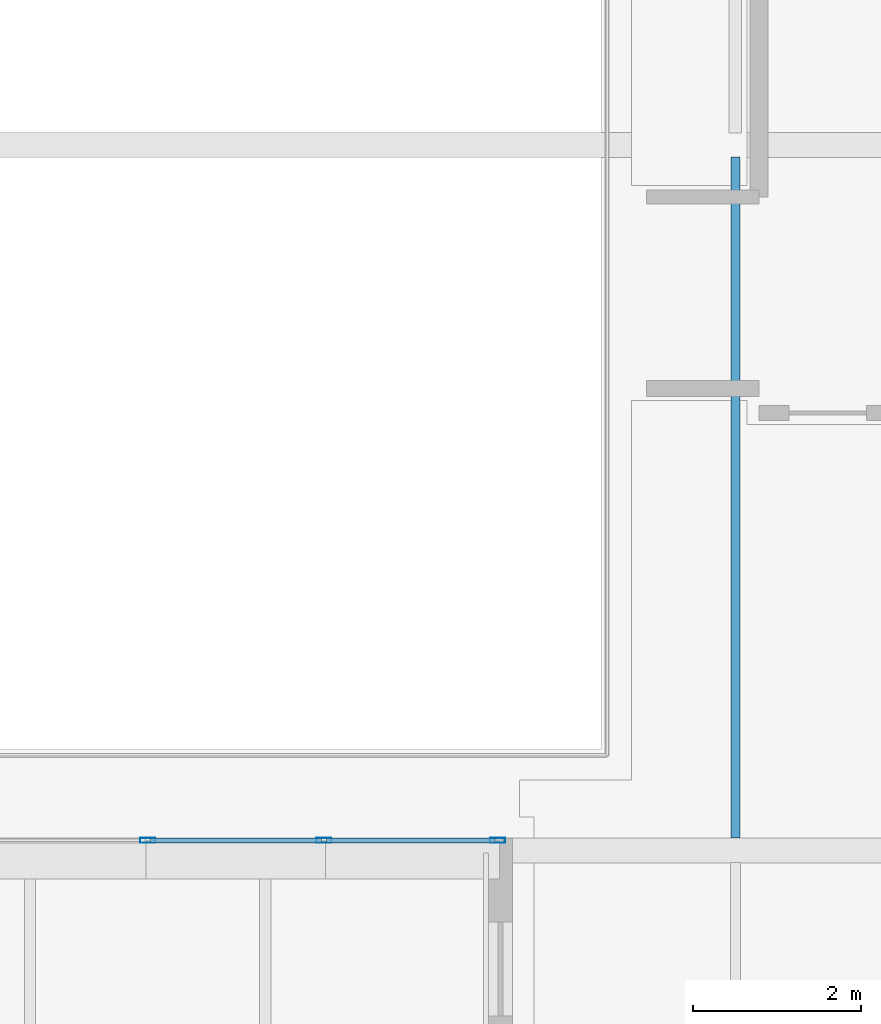
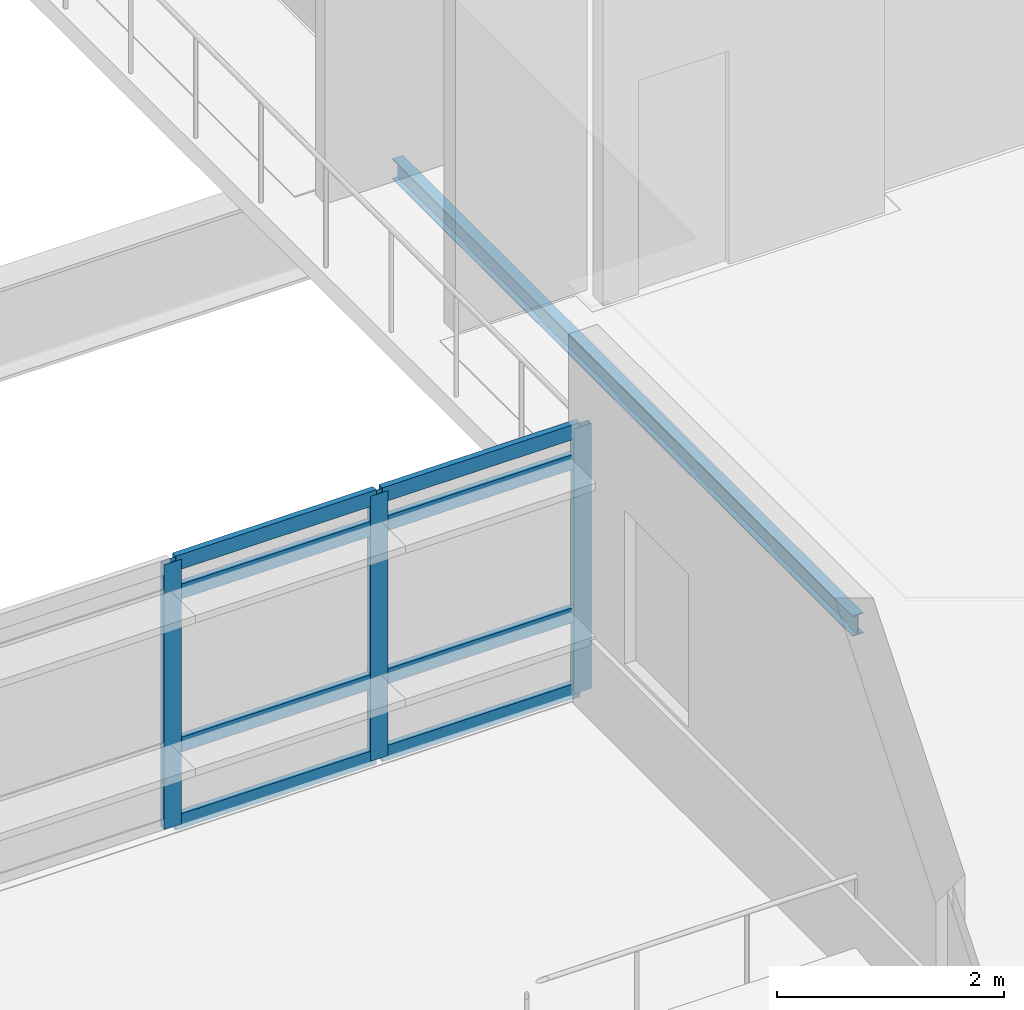
# One storey, part 30 of 131: 11 members, 1 beam, 1 element without a shape of its own.
"""IFC4 building model written with IfcOpenShell, lengths in metres."""

import ifcopenshell
import ifcopenshell.guid

model = None  # the IFC model being written
_history = None  # IfcOwnerHistory: only IFC2X3 demands one
_inside = {}  # id of a spatial element -> (the spatial element, [elements in it])
_under = {}  # id of a project, library or spatial element -> (it, [spatial elements below it])
_declared = {}  # id of a project -> (the project, [libraries it declares])
_typed = {}  # id of a type object -> (the type object, [elements of that type])
_made_of = {}  # id of a material, layer set ... -> (it, [elements and type objects made of it])


def new_model(schema):
    """Start an empty IFC model of exactly this schema.

    Asked for "IFC4X3", IfcOpenShell would pick the latest addendum, in which some entities
    have other attributes; the version numbers below select the first issue.
    IFC2X3 requires an IfcOwnerHistory on every rooted entity: one is made here for all.
    """
    global model, _history
    if schema == "IFC4X3":
        model = ifcopenshell.file(schema_version=(4, 3, 0, 0))
    else:
        model = ifcopenshell.file(schema=schema)
    _inside.clear()
    _under.clear()
    _declared.clear()
    _typed.clear()
    _made_of.clear()
    _history = None
    if model.schema == "IFC2X3":
        org = make("IfcOrganization", Name="unknown")
        user = make(
            "IfcPersonAndOrganization",
            ThePerson=make("IfcPerson", FamilyName="unknown"),
            TheOrganization=org,
        )
        app = make(
            "IfcApplication",
            ApplicationDeveloper=org,
            Version="unknown",
            ApplicationFullName="unknown",
            ApplicationIdentifier="unknown",
        )
        _history = make(
            "IfcOwnerHistory",
            OwningUser=user,
            OwningApplication=app,
            ChangeAction="ADDED",
            CreationDate=0,
        )
    return model


def make(cls, **values):
    """One entity of the class cls with the attributes given. An attribute that is None is left unset."""
    return model.create_entity(
        cls, **{name: value for name, value in values.items() if value is not None}
    )


def rooted(cls, **values):
    """An entity with a GlobalId (a new one), such as an element, a storey or a relation."""
    return make(cls, GlobalId=ifcopenshell.guid.new(), OwnerHistory=_history, **values)


def si_unit(unit_type, name, prefix=None):
    """IfcSIUnit, for example si_unit("LENGTHUNIT", "METRE", prefix="MILLI")."""
    return make("IfcSIUnit", UnitType=unit_type, Prefix=prefix, Name=name)


def assignment(units):
    """IfcUnitAssignment: the units of a project."""
    return None if units is None else make("IfcUnitAssignment", Units=units)


def point(xyz):
    """IfcCartesianPoint."""
    return None if xyz is None else make("IfcCartesianPoint", Coordinates=xyz)


def direction(xyz):
    """IfcDirection."""
    return None if xyz is None else make("IfcDirection", DirectionRatios=xyz)


def frame(location, z_axis=None, x_axis=None):
    """IfcAxis2Placement3D, a coordinate frame: its origin and axes. An axis left out is left unset."""
    return make(
        "IfcAxis2Placement3D",
        Location=point(location),
        Axis=direction(z_axis),
        RefDirection=direction(x_axis),
    )


def frame_2d(location, x_axis=None):
    """IfcAxis2Placement2D, a coordinate frame in the plane: its origin and x axis."""
    return make(
        "IfcAxis2Placement2D", Location=point(location), RefDirection=direction(x_axis)
    )


def origin():
    """The frame at (0, 0, 0) with its axes left unset."""
    return frame((0.0, 0.0, 0.0))


def origin_2d():
    """The frame at (0, 0) in the plane with its x axis left unset."""
    return frame_2d((0.0, 0.0))


def place(relative_to, where):
    """IfcLocalPlacement: puts the frame where relative to a parent placement (None: the world)."""
    return make(
        "IfcLocalPlacement", PlacementRelTo=relative_to, RelativePlacement=where
    )


def context(
    kind, dimensions, precision=None, world=None, true_north=None, identifier=None
):
    """IfcGeometricRepresentationContext, for example the 3D "Model" context."""
    return make(
        "IfcGeometricRepresentationContext",
        ContextIdentifier=identifier,
        ContextType=kind,
        CoordinateSpaceDimension=dimensions,
        Precision=precision,
        WorldCoordinateSystem=world,
        TrueNorth=true_north,
    )


def subcontext(parent, identifier, kind, view, scale=None):
    """IfcGeometricRepresentationSubContext, for example "Body" below "Model"."""
    return make(
        "IfcGeometricRepresentationSubContext",
        ContextIdentifier=identifier,
        ContextType=kind,
        ParentContext=parent,
        TargetScale=scale,
        TargetView=view,
    )


def project(units=None, contexts=None):
    """IfcProject with its units and contexts."""
    return rooted(
        "IfcProject",
        Name="project",
        RepresentationContexts=contexts,
        UnitsInContext=assignment(units),
    )


def spatial(cls, under=None, at=None, **own):
    """A site, building, storey or space (cls), placed at a placement, below another one or the project."""
    s = rooted(cls, ObjectPlacement=at, **own)
    if under is not None:
        _under.setdefault(under.id(), (under, []))[1].append(s)
    return s


def profile(cls, at=None, kind="AREA", **sizes):
    """A parametric profile (cls). Its sizes go by their IFC names, for example OverallWidth=200.0."""
    return make(cls, ProfileType=kind, Position=at, **sizes)


def hollow_rectangle(**sizes):
    """IfcRectangleHollowProfileDef."""
    return profile("IfcRectangleHollowProfileDef", **sizes)


def i_section(**sizes):
    """IfcIShapeProfileDef."""
    return profile("IfcIShapeProfileDef", **sizes)


def extrude(swept, where, along, depth):
    """IfcExtrudedAreaSolid: the profile swept, set in the frame where, extruded along a direction by depth."""
    return make(
        "IfcExtrudedAreaSolid",
        SweptArea=swept,
        Position=where,
        ExtrudedDirection=direction(along),
        Depth=depth,
    )


def shape(context_of_items, identifier, shape_type, items):
    """IfcShapeRepresentation: the items that make up one representation, for example the "Body"."""
    return make(
        "IfcShapeRepresentation",
        ContextOfItems=context_of_items,
        RepresentationIdentifier=identifier,
        RepresentationType=shape_type,
        Items=items,
    )


def material(Name=None, Category=None):
    """IfcMaterial."""
    return make("IfcMaterial", Name=Name, Category=Category)


def material_profile(
    of_material, cross_section, Name=None, Category=None, Priority=None
):
    """IfcMaterialProfile: a cross section and its material."""
    return make(
        "IfcMaterialProfile",
        Name=Name,
        Material=of_material,
        Profile=cross_section,
        Priority=Priority,
        Category=Category,
    )


def profile_set(profiles, Name=None, composite=None):
    """IfcMaterialProfileSet."""
    return make(
        "IfcMaterialProfileSet",
        Name=Name,
        MaterialProfiles=profiles,
        CompositeProfile=composite,
    )


def made_of(thing, what):
    """Note that an element or type object is made of a material, layer set ...; save() writes the relation."""
    if what is not None:
        _made_of.setdefault(what.id(), (what, []))[1].append(thing)
    return thing


def type_object(cls, material=None, **own):
    """A type object (cls), such as IfcWallType, which elements share."""
    return made_of(rooted(cls, **own), material)


def element(
    cls,
    number,
    at=None,
    inside=None,
    cuts=None,
    type_object=None,
    material=None,
    context=None,
    identifier="Body",
    shape_type=None,
    held_by="IfcProductDefinitionShape",
    body=None,
    shapes=None,
    **own,
):
    """One element of the class cls, such as IfcWall. Its Tag is "e" and its number.

    at: its placement. inside: the storey or other place that contains it. cuts: it is an
    opening in that element (IfcRelVoidsElement). A single representation is given by context,
    identifier, shape_type and body (its items); several are given by shapes. held_by: the class
    of the entity that holds the representations. save() writes the other relations.
    """
    e = rooted(cls, Tag="e%d" % number, ObjectPlacement=at, **own)
    if body is not None:
        shapes = [shape(context, identifier, shape_type, body)]
    if shapes is not None:
        e.Representation = make(held_by, Representations=shapes)
    if inside is not None:
        _inside.setdefault(inside.id(), (inside, []))[1].append(e)
    if cuts is not None:
        rooted(
            "IfcRelVoidsElement", RelatingBuildingElement=cuts, RelatedOpeningElement=e
        )
    if type_object is not None:
        _typed.setdefault(type_object.id(), (type_object, []))[1].append(e)
    return made_of(e, material)


def aggregate(whole, parts):
    """IfcRelAggregates: a whole, such as a stair, and the parts it consists of."""
    return rooted("IfcRelAggregates", RelatingObject=whole, RelatedObjects=parts)


def save(model, path):
    """Write the relations noted so far, then the file.

    IfcRelAggregates (storeys below a building ...), IfcRelContainedInSpatialStructure (elements
    in a storey), IfcRelDefinesByType, IfcRelAssociatesMaterial and IfcRelDeclares: one each for
    every whole, place, type object, material and project.
    """
    for whole, parts in _under.values():
        aggregate(whole, parts)
    for where, things in _inside.values():
        rooted(
            "IfcRelContainedInSpatialStructure",
            RelatedElements=things,
            RelatingStructure=where,
        )
    for kind, things in _typed.values():
        rooted("IfcRelDefinesByType", RelatedObjects=things, RelatingType=kind)
    for what, things in _made_of.values():
        rooted("IfcRelAssociatesMaterial", RelatedObjects=things, RelatingMaterial=what)
    for by, libraries in _declared.values():
        rooted("IfcRelDeclares", RelatingContext=by, RelatedDefinitions=libraries)
    model.write(path)


model = new_model("IFC4")

# Units and contexts
model_context = context("Model", 3, precision=1e-05, world=origin(), true_north=direction((0.0, 1.0)))
body_context = subcontext(model_context, "Body", "Model", "MODEL_VIEW")
ifc_project = project(units=[si_unit("LENGTHUNIT", "METRE"), si_unit("AREAUNIT", "SQUARE_METRE"), si_unit("VOLUMEUNIT", "CUBIC_METRE"), si_unit("PLANEANGLEUNIT", "RADIAN"), si_unit("MASSUNIT", "GRAM", prefix="KILO")], contexts=[model_context])

# Site, building, storey
site_placement = place(None, origin())
site = spatial("IfcSite", under=ifc_project, at=site_placement, CompositionType="ELEMENT")
building_placement = place(site_placement, origin())
building = spatial("IfcBuilding", under=site, at=building_placement, Name="Mersafa Astral City Hall", CompositionType="ELEMENT")
storey_placement = place(building_placement, frame((0.0, 0.0, 13.949951171875)))
storey = spatial("IfcBuildingStorey", under=building, at=storey_placement, Name="L03", CompositionType="ELEMENT", Elevation=13.949951171875)

# Curtain wall, members
ifc_material_1 = material(Name="Anodised bronze aluminium framing", Category="aluminium")
curtain_wall_type = type_object("IfcCurtainWallType", Name="ENV-CW-3", PredefinedType="USERDEFINED", material=ifc_material_1)
curtain_wall_placement = place(storey_placement, origin())
curtain_wall = element("IfcCurtainWall", 1, at=curtain_wall_placement, inside=storey, type_object=curtain_wall_type, Name="L03 Unitised solar curtain wall 188", ObjectType="UNITISED CURTAIN WALL", PredefinedType="USERDEFINED")
ifc_material_profile_1 = material_profile(ifc_material_1, hollow_rectangle(XDim=0.06005859375, YDim=0.179931640625, WallThickness=0.00390625, at=origin_2d()), Name="RHS 60x180x4")
ifc_profile_set_1 = profile_set([ifc_material_profile_1], Name="Anodised bronze aluminium framing")
member_type_1 = type_object("IfcMemberType", Name="ENV-CW-MUL-1", PredefinedType="MULLION", material=ifc_profile_set_1)
member_1_placement = place(storey_placement, frame((105.0, 50.52001953125, -0.001953125), z_axis=(0.0, 0.0, 1.0), x_axis=(0.0, 1.0, 0.0)))
member_1 = element("IfcMember", 2, at=member_1_placement, type_object=member_type_1, Name="CW-3 mullion 3", PredefinedType="MULLION", context=body_context, shape_type="SweptSolid", body=[
    extrude(hollow_rectangle(XDim=0.06005859375, YDim=0.179931640625, WallThickness=0.00390625, at=origin_2d()), origin(), (0.0, 0.0, 1.0), 2.84912109375),
])
member_2_placement = place(storey_placement, frame((107.10009765625, 50.52001953125, -0.001953125), z_axis=(0.0, 0.0, 1.0), x_axis=(0.0, 1.0, 0.0)))
member_2 = element("IfcMember", 3, at=member_2_placement, type_object=member_type_1, Name="CW-3 mullion 4", PredefinedType="MULLION", context=body_context, shape_type="SweptSolid", body=[
    extrude(hollow_rectangle(XDim=0.06005859375, YDim=0.179931640625, WallThickness=0.00390625, at=origin_2d()), origin(), (0.0, 0.0, 1.0), 2.84912109375),
])
member_3_placement = place(storey_placement, frame((109.169921875, 50.52001953125, -0.001953125), z_axis=(0.0, 0.0, 1.0), x_axis=(0.0, 1.0, 0.0)))
member_3 = element("IfcMember", 4, at=member_3_placement, type_object=member_type_1, Name="CW-3 mullion 5", PredefinedType="MULLION", context=body_context, shape_type="SweptSolid", body=[
    extrude(hollow_rectangle(XDim=0.06005859375, YDim=0.179931640625, WallThickness=0.00390625, at=origin_2d()), origin(), (0.0, 0.0, 1.0), 2.84912109375),
])
ifc_material_profile_2 = material_profile(ifc_material_1, hollow_rectangle(XDim=0.06005859375, YDim=0.159912109375, WallThickness=0.00390625, at=origin_2d()), Name="RHS 60x160x4")
ifc_profile_set_2 = profile_set([ifc_material_profile_2], Name="Anodised bronze aluminium framing")
member_type_2 = type_object("IfcMemberType", Name="ENV-CW-TRN-2", PredefinedType="USERDEFINED", material=ifc_profile_set_2)
member_4_placement = place(storey_placement, frame((105.030029296875, 50.52001953125, 0.028076171875), z_axis=(1.0, 0.0, 0.0), x_axis=(0.0, 1.0, 0.0)))
member_4 = element("IfcMember", 5, at=member_4_placement, type_object=member_type_2, Name="CW-3 transom 3.1", ObjectType="TRANSOM", PredefinedType="USERDEFINED", context=body_context, shape_type="SweptSolid", body=[
    extrude(hollow_rectangle(XDim=0.06005859375, YDim=0.159912109375, WallThickness=0.00390625, at=origin_2d()), origin(), (0.0, 0.0, 1.0), 2.0400390625),
])
member_5_placement = place(storey_placement, frame((105.030029296875, 50.52001953125, 0.85009765625), z_axis=(1.0, 0.0, 0.0), x_axis=(0.0, 1.0, 0.0)))
member_5 = element("IfcMember", 6, at=member_5_placement, type_object=member_type_2, Name="CW-3 transom 3.2", ObjectType="TRANSOM", PredefinedType="USERDEFINED", context=body_context, shape_type="SweptSolid", body=[
    extrude(hollow_rectangle(XDim=0.06005859375, YDim=0.159912109375, WallThickness=0.00390625, at=origin_2d()), origin(), (0.0, 0.0, 1.0), 2.0400390625),
])
member_6_placement = place(storey_placement, frame((105.030029296875, 50.52001953125, 2.4970703125), z_axis=(1.0, 0.0, 0.0), x_axis=(0.0, 1.0, 0.0)))
member_6 = element("IfcMember", 7, at=member_6_placement, type_object=member_type_2, Name="CW-3 transom 3.3", ObjectType="TRANSOM", PredefinedType="USERDEFINED", context=body_context, shape_type="SweptSolid", body=[
    extrude(hollow_rectangle(XDim=0.06005859375, YDim=0.159912109375, WallThickness=0.00390625, at=origin_2d()), origin(), (0.0, 0.0, 1.0), 2.0400390625),
])
member_7_placement = place(storey_placement, frame((105.030029296875, 50.52001953125, 2.817138671875), z_axis=(1.0, 0.0, 0.0), x_axis=(0.0, 1.0, 0.0)))
member_7 = element("IfcMember", 8, at=member_7_placement, type_object=member_type_2, Name="CW-3 transom 3.4", ObjectType="TRANSOM", PredefinedType="USERDEFINED", context=body_context, shape_type="SweptSolid", body=[
    extrude(hollow_rectangle(XDim=0.06005859375, YDim=0.159912109375, WallThickness=0.00390625, at=origin_2d()), origin(), (0.0, 0.0, 1.0), 2.0400390625),
])
member_8_placement = place(storey_placement, frame((107.1298828125, 50.52001953125, 0.028076171875), z_axis=(1.0, 0.0, 0.0), x_axis=(0.0, 1.0, 0.0)))
member_8 = element("IfcMember", 9, at=member_8_placement, type_object=member_type_2, Name="CW-3 transom 4.1", ObjectType="TRANSOM", PredefinedType="USERDEFINED", context=body_context, shape_type="SweptSolid", body=[
    extrude(hollow_rectangle(XDim=0.06005859375, YDim=0.159912109375, WallThickness=0.00390625, at=origin_2d()), origin(), (0.0, 0.0, 1.0), 2.010009765625),
])
member_9_placement = place(storey_placement, frame((107.1298828125, 50.52001953125, 0.85009765625), z_axis=(1.0, 0.0, 0.0), x_axis=(0.0, 1.0, 0.0)))
member_9 = element("IfcMember", 10, at=member_9_placement, type_object=member_type_2, Name="CW-3 transom 4.2", ObjectType="TRANSOM", PredefinedType="USERDEFINED", context=body_context, shape_type="SweptSolid", body=[
    extrude(hollow_rectangle(XDim=0.06005859375, YDim=0.159912109375, WallThickness=0.00390625, at=origin_2d()), origin(), (0.0, 0.0, 1.0), 2.010009765625),
])
member_10_placement = place(storey_placement, frame((107.1298828125, 50.52001953125, 2.4970703125), z_axis=(1.0, 0.0, 0.0), x_axis=(0.0, 1.0, 0.0)))
member_10 = element("IfcMember", 11, at=member_10_placement, type_object=member_type_2, Name="CW-3 transom 4.3", ObjectType="TRANSOM", PredefinedType="USERDEFINED", context=body_context, shape_type="SweptSolid", body=[
    extrude(hollow_rectangle(XDim=0.06005859375, YDim=0.159912109375, WallThickness=0.00390625, at=origin_2d()), origin(), (0.0, 0.0, 1.0), 2.010009765625),
])
member_11_placement = place(storey_placement, frame((107.1298828125, 50.52001953125, 2.817138671875), z_axis=(1.0, 0.0, 0.0), x_axis=(0.0, 1.0, 0.0)))
member_11 = element("IfcMember", 12, at=member_11_placement, type_object=member_type_2, Name="CW-3 transom 4.4", ObjectType="TRANSOM", PredefinedType="USERDEFINED", context=body_context, shape_type="SweptSolid", body=[
    extrude(hollow_rectangle(XDim=0.06005859375, YDim=0.159912109375, WallThickness=0.00390625, at=origin_2d()), origin(), (0.0, 0.0, 1.0), 2.010009765625),
])
aggregate(curtain_wall, [member_1, member_2, member_3, member_4, member_5, member_6, member_7, member_8, member_9, member_10, member_11])

# Beam
ifc_material_2 = material(Name="Steel S355", Category="steel")
ifc_material_profile_3 = material_profile(ifc_material_2, i_section(OverallWidth=0.110107421875, OverallDepth=0.219970703125, WebThickness=0.005859375, FlangeThickness=0.00927734375, FilletRadius=0.011962890625, at=origin_2d()), Name="IPE 220")
ifc_profile_set_3 = profile_set([ifc_material_profile_3], Name="Steel S355")
beam_type = type_object("IfcBeamType", Name="STR-BM-JOIST-IPE220", PredefinedType="JOIST", material=ifc_profile_set_3)
beam_placement = place(storey_placement, frame((112.0, 50.544921875, -0.31005859375), z_axis=(0.0, 1.0, 0.0), x_axis=(-1.0, 0.0, 0.0)))
element("IfcBeam", 13, at=beam_placement, inside=storey, type_object=beam_type, Name="L03 Composite secondary floor joist 612", PredefinedType="JOIST", context=body_context, shape_type="SweptSolid", body=[
    extrude(i_section(OverallWidth=0.110107421875, OverallDepth=0.219970703125, WebThickness=0.005859375, FlangeThickness=0.00927734375, FilletRadius=0.011962890625, at=origin_2d()), origin(), (0.0, 0.0, 1.0), 8.110107421875),
])

save(model, "model.ifc")
